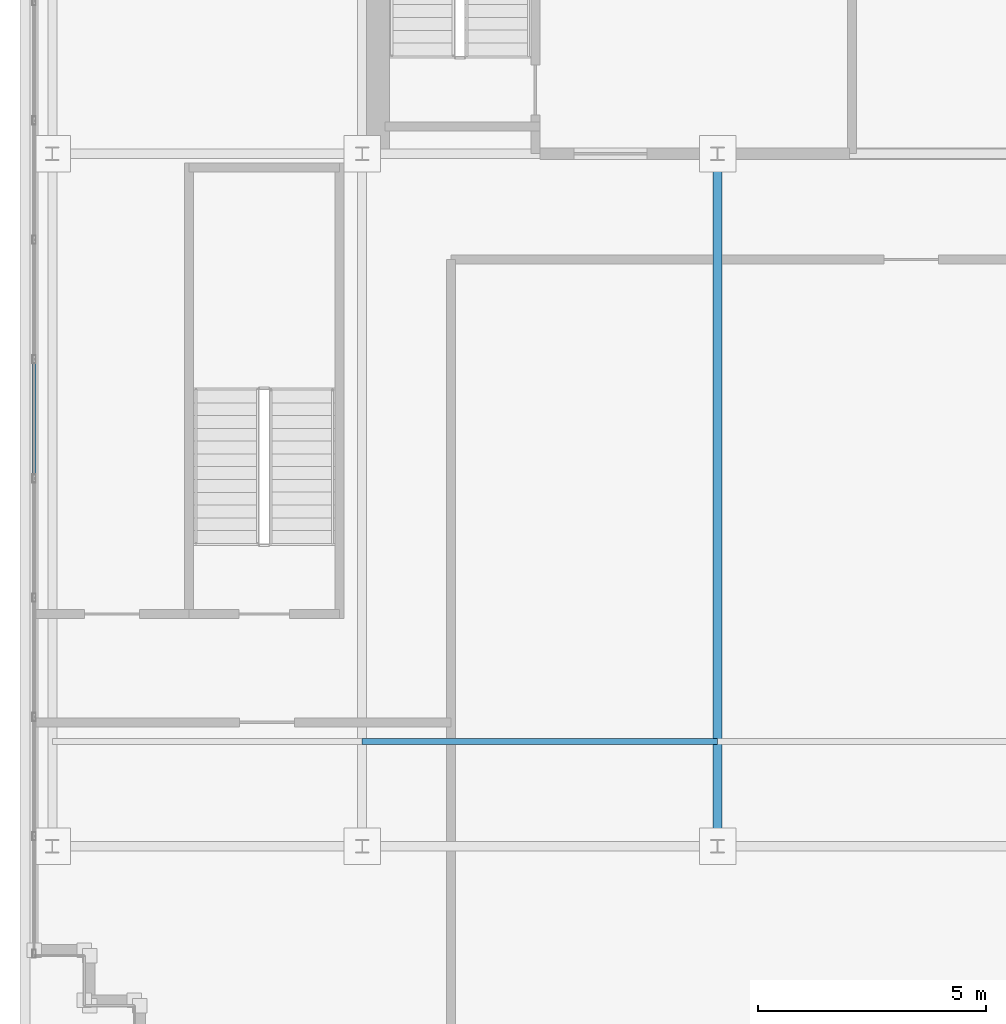
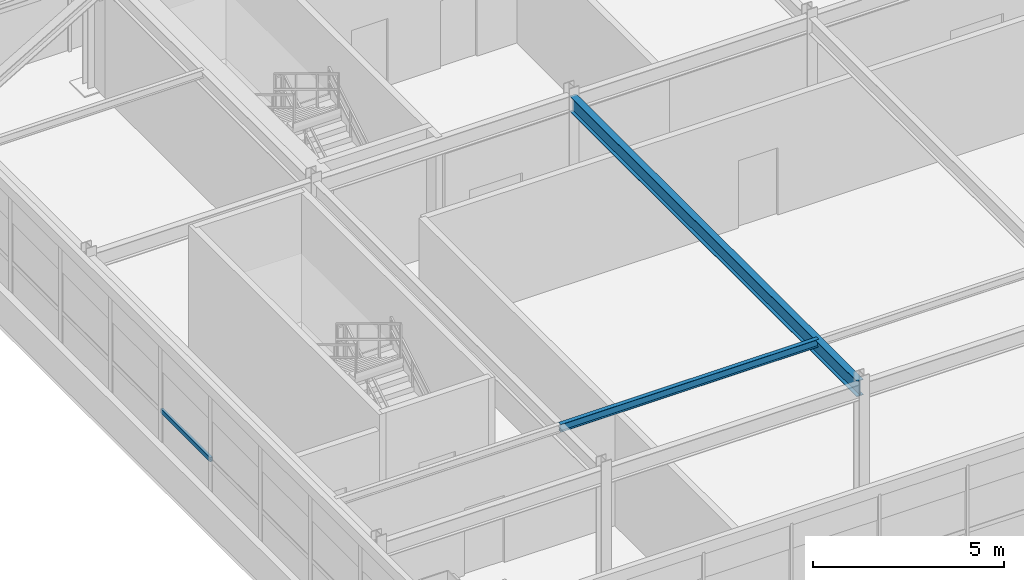
# One storey, part 9 of 38: 2 members, 1 beam, 1 element without a shape of its own.
"""IFC4 building model written with IfcOpenShell, lengths in metres."""

from ifc_helpers import new_model, si_unit, direction, frame, origin, origin_2d, place, context, subcontext, project, spatial, hollow_rectangle, i_section, extrude, source, transform, mapped, material, material_profile, profile_set, type_object, element, aggregate, save


model = new_model("IFC4")

# Units and contexts
model_context = context("Model", 3, precision=1e-05, world=origin(), true_north=direction((0.0, 1.0)))
body_context = subcontext(model_context, "Body", "Model", "MODEL_VIEW")
ifc_project = project(units=[si_unit("LENGTHUNIT", "METRE"), si_unit("AREAUNIT", "SQUARE_METRE"), si_unit("VOLUMEUNIT", "CUBIC_METRE"), si_unit("PLANEANGLEUNIT", "RADIAN"), si_unit("MASSUNIT", "GRAM", prefix="KILO")], contexts=[model_context])

# Site, building, storey
site_placement = place(None, origin())
site = spatial("IfcSite", under=ifc_project, at=site_placement, CompositionType="ELEMENT")
building_placement = place(site_placement, origin())
building = spatial("IfcBuilding", under=site, at=building_placement, Name="Trelvane Seafront Commons", CompositionType="ELEMENT")
storey_placement = place(building_placement, frame((0.0, 0.0, 299.10009765625)))
storey = spatial("IfcBuildingStorey", under=building, at=storey_placement, Name="L78", CompositionType="ELEMENT", Elevation=299.10009765625)

# Beam
ifc_material_1 = material(Name="Steel SM355 (S355)", Category="steel")
ifc_material_profile_1 = material_profile(ifc_material_1, i_section(OverallWidth=0.199951171875, OverallDepth=0.5, WebThickness=0.010009765625, FlangeThickness=0.01611328125, at=origin_2d()), Name="H-500x200x10x16")
ifc_profile_set_1 = profile_set([ifc_material_profile_1], Name="Steel SM355 (S355)")
beam_type = type_object("IfcBeamType", Name="STR-BM-H500", PredefinedType="BEAM", material=ifc_profile_set_1)
shared_shape_1 = source(origin(), body_context, "Body", "SweptSolid", [
    extrude(i_section(OverallWidth=0.199951171875, OverallDepth=0.5, WebThickness=0.010009765625, FlangeThickness=0.01611328125, at=origin_2d()), origin(), (0.0, 0.0, 1.0), 15.050048828125),
])
beam_placement = place(storey_placement, frame((23.39990234375, 18.27490234375, 3.869873046875), z_axis=(0.0, 1.0, 0.0), x_axis=(-1.0, 0.0, 0.0)))
element("IfcBeam", 1, at=beam_placement, inside=storey, type_object=beam_type, Name="L78 Primary Girder G-26", PredefinedType="BEAM", context=body_context, shape_type="MappedRepresentation", body=[
    mapped(shared_shape_1, transform((0.0, 0.0, 0.0), x_axis=(1.0, 0.0, 0.0), y_axis=(0.0, 1.0, 0.0), z_axis=(0.0, 0.0, 1.0), scale=1.0)),
])

# Member
ifc_material_profile_2 = material_profile(ifc_material_1, i_section(OverallWidth=0.125, OverallDepth=0.25, WebThickness=0.006103515625, FlangeThickness=0.009033203125, at=origin_2d()), Name="H-250x125x6x9")
ifc_profile_set_2 = profile_set([ifc_material_profile_2], Name="Steel SM355 (S355)")
member_type_1 = type_object("IfcMemberType", Name="STR-PUR-H250", PredefinedType="PURLIN", material=ifc_profile_set_2)
shared_shape_2 = source(origin(), body_context, "Body", "SweptSolid", [
    extrude(i_section(OverallWidth=0.125, OverallDepth=0.25, WebThickness=0.006103515625, FlangeThickness=0.009033203125, at=origin_2d()), origin(), (0.0, 0.0, 1.0), 7.7998046875),
])
member_1_placement = place(storey_placement, frame((15.60009765625, 20.5, 3.994873046875), z_axis=(1.0, 0.0, 0.0), x_axis=(0.0, 1.0, 0.0)))
element("IfcMember", 2, at=member_1_placement, inside=storey, type_object=member_type_1, Name="L78 Crown Roof Purlin PR-1", PredefinedType="PURLIN", context=body_context, shape_type="MappedRepresentation", body=[
    mapped(shared_shape_2, transform((0.0, 0.0, 0.0), x_axis=(1.0, 0.0, 0.0), y_axis=(0.0, 1.0, 0.0), z_axis=(0.0, 0.0, 1.0), scale=1.0)),
])

# Curtain wall, member
ifc_material_2 = material(Name="Anodised pale-silver aluminium", Category="aluminium")
curtain_wall_type = type_object("IfcCurtainWallType", Name="ARCH-CW6-CROWN", PredefinedType="NOTDEFINED", material=ifc_material_2)
curtain_wall_placement = place(storey_placement, origin())
curtain_wall = element("IfcCurtainWall", 3, at=curtain_wall_placement, inside=storey, type_object=curtain_wall_type, Name="CW-L78-0124", PredefinedType="NOTDEFINED")
ifc_material_profile_3 = material_profile(ifc_material_2, hollow_rectangle(XDim=0.074951171875, YDim=0.139892578125, WallThickness=0.00390625, at=origin_2d()), Name="TRAN-75x140x4")
ifc_profile_set_3 = profile_set([ifc_material_profile_3], Name="Anodised pale-silver aluminium")
member_type_2 = type_object("IfcMemberType", Name="ARCH-CW-TRAN-140", PredefinedType="USERDEFINED", material=ifc_profile_set_3)
shared_shape_3 = source(origin(), body_context, "Body", "SweptSolid", [
    extrude(hollow_rectangle(XDim=0.074951171875, YDim=0.139892578125, WallThickness=0.00390625, at=origin_2d()), origin(), (0.0, 0.0, 1.0), 2.59423828125),
])
member_2_placement = place(storey_placement, frame((8.39990234375, 26.28466796875, 1.977783203125), z_axis=(0.0, 1.0, 0.0), x_axis=(-1.0, 0.0, 0.0)))
member_2 = element("IfcMember", 4, at=member_2_placement, type_object=member_type_2, Name="CW-L78-0124-T04", ObjectType="TRANSOM", PredefinedType="USERDEFINED", context=body_context, shape_type="MappedRepresentation", body=[
    mapped(shared_shape_3, transform((0.0, 0.0, 0.0), x_axis=(1.0, 0.0, 0.0), y_axis=(0.0, 1.0, 0.0), z_axis=(0.0, 0.0, 1.0), scale=1.0)),
])
aggregate(curtain_wall, [member_2])

save(model, "model.ifc")
